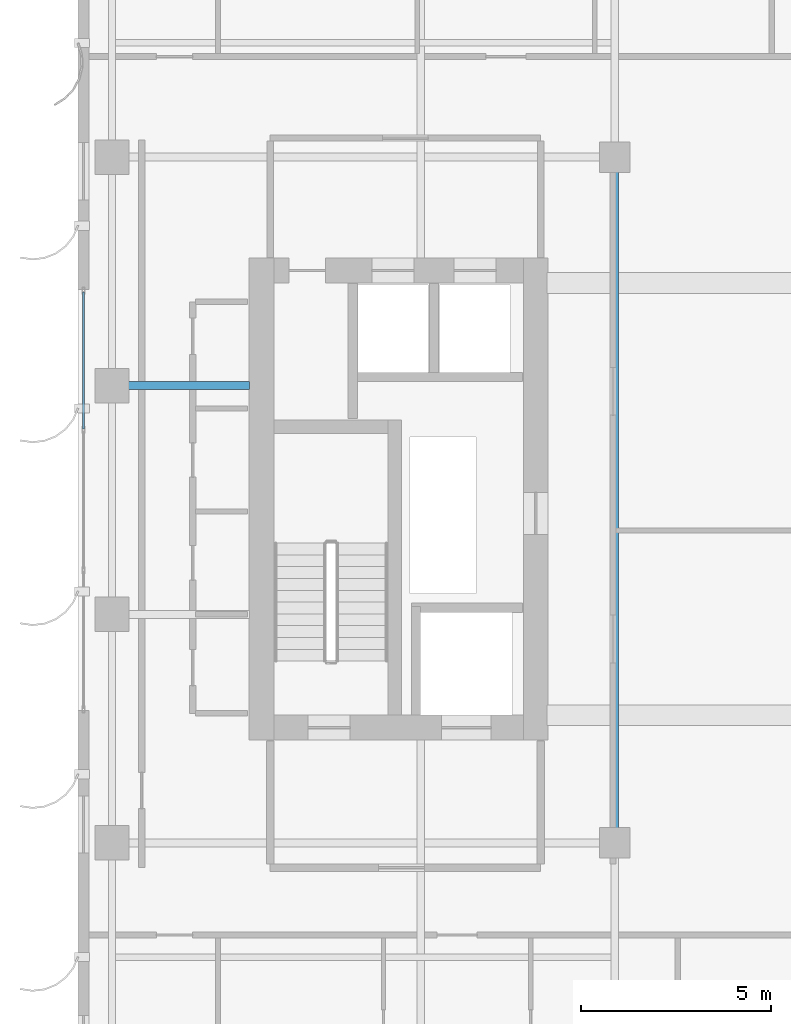
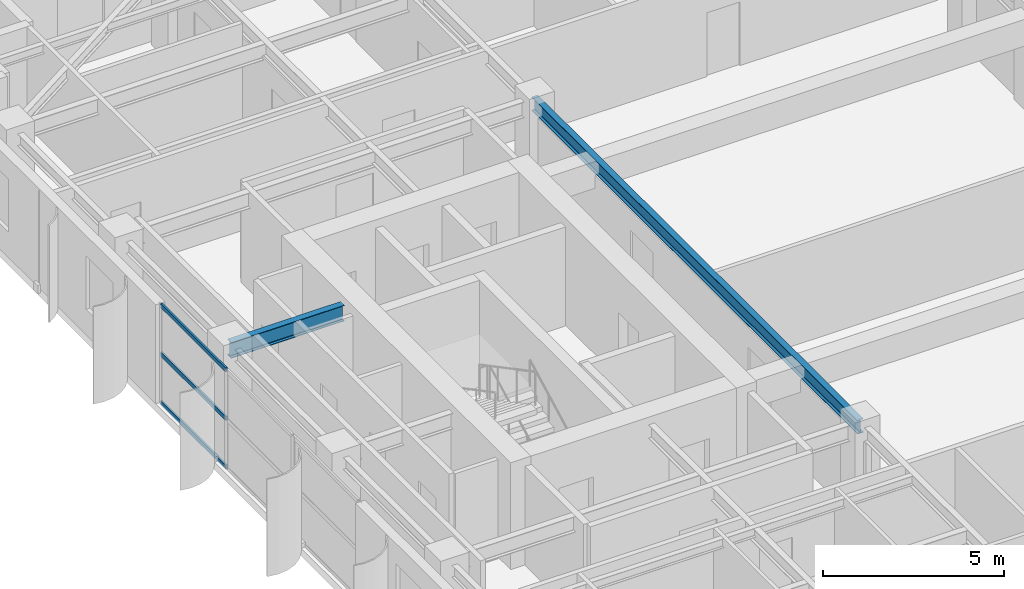
# One storey, part 5 of 22: 3 members, 2 beams, 1 element without a shape of its own.
"""IFC4 building model written with IfcOpenShell, lengths in metres."""

from ifc_helpers import new_model, si_unit, direction, frame, origin, origin_2d, place, context, subcontext, project, spatial, hollow_rectangle, i_section, extrude, source, transform, mapped, material, layer, layer_set, material_profile, profile_set, type_object, element, aggregate, save


model = new_model("IFC4")

# Units and contexts
model_context = context("Model", 3, precision=1e-05, world=origin(), true_north=direction((0.0, 1.0)))
body_context = subcontext(model_context, "Body", "Model", "MODEL_VIEW")
ifc_project = project(units=[si_unit("LENGTHUNIT", "METRE"), si_unit("AREAUNIT", "SQUARE_METRE"), si_unit("VOLUMEUNIT", "CUBIC_METRE"), si_unit("PLANEANGLEUNIT", "RADIAN"), si_unit("MASSUNIT", "GRAM", prefix="KILO")], contexts=[model_context])

# Site, building, storey
site_placement = place(None, origin())
site = spatial("IfcSite", under=ifc_project, at=site_placement, CompositionType="ELEMENT")
building_placement = place(site_placement, origin())
building = spatial("IfcBuilding", under=site, at=building_placement, Name="Khoralis Quay Care Tower", CompositionType="ELEMENT")
storey_placement = place(building_placement, frame((0.0, 0.0, 180.89990234375)))
storey = spatial("IfcBuildingStorey", under=building, at=storey_placement, Name="L47", CompositionType="ELEMENT", Elevation=180.89990234375)

# Beams
ifc_material_1 = material(Name="Steel S355", Category="steel")
ifc_material_profile_1 = material_profile(ifc_material_1, i_section(OverallWidth=0.208984375, OverallDepth=0.532958984375, WebThickness=0.01025390625, FlangeThickness=0.015625, FilletRadius=0.01611328125, at=origin_2d()), Name="Steel S355")
ifc_profile_set_1 = profile_set([ifc_material_profile_1], Name="Steel S355")
beam_type_1 = type_object("IfcBeamType", Name="BM-W530X92", PredefinedType="BEAM", material=ifc_profile_set_1)
shared_shape_1 = source(origin(), body_context, "Body", "SweptSolid", [
    extrude(i_section(OverallWidth=0.208984375, OverallDepth=0.532958984375, WebThickness=0.01025390625, FlangeThickness=0.015625, FilletRadius=0.01611328125, at=origin_2d()), origin(), (0.0, 0.0, 1.0), 3.60205078125),
])
beam_1_placement = place(storey_placement, frame((3.89990234375, 24.0, 3.073486328125), z_axis=(1.0, 0.0, 0.0), x_axis=(0.0, 1.0, 0.0)))
element("IfcBeam", 1, at=beam_1_placement, inside=storey, type_object=beam_type_1, Name="BM-TGXW-L47-240", PredefinedType="BEAM", context=body_context, shape_type="MappedRepresentation", body=[
    mapped(shared_shape_1, transform((0.0, 0.0, 0.0), scale=1.0)),
])
ifc_material_profile_2 = material_profile(ifc_material_1, i_section(OverallWidth=0.19189453125, OverallDepth=0.462890625, WebThickness=0.010498046875, FlangeThickness=0.017578125, FilletRadius=0.014892578125, at=origin_2d()), Name="Steel S355")
ifc_profile_set_2 = profile_set([ifc_material_profile_2], Name="Steel S355")
beam_type_2 = type_object("IfcBeamType", Name="BM-W460X89", PredefinedType="BEAM", material=ifc_profile_set_2)
shared_shape_2 = source(origin(), body_context, "Body", "SweptSolid", [
    extrude(i_section(OverallWidth=0.19189453125, OverallDepth=0.462890625, WebThickness=0.010498046875, FlangeThickness=0.017578125, FilletRadius=0.014892578125, at=origin_2d()), origin(), (0.0, 0.0, 1.0), 18.0),
])
beam_2_placement = place(storey_placement, frame((17.10009765625, 12.0, 3.108642578125), z_axis=(0.0, 1.0, 0.0), x_axis=(-1.0, 0.0, 0.0)))
element("IfcBeam", 2, at=beam_2_placement, inside=storey, type_object=beam_type_2, Name="BM-TGSW-L47", PredefinedType="BEAM", context=body_context, shape_type="MappedRepresentation", body=[
    mapped(shared_shape_2, transform((0.0, 0.0, 0.0), scale=1.0)),
])

# Curtain wall, members
ifc_material_2 = material(Name="Pale anodised aluminium", Category="aluminium")
ifc_layer = layer(ifc_material_2, 0.159912109375)
ifc_layer_set = layer_set([ifc_layer], Name="Pale anodised aluminium")
curtain_wall_type = type_object("IfcCurtainWallType", Name="CW-SYS-Z3", PredefinedType="NOTDEFINED", material=ifc_layer_set)
curtain_wall_placement = place(storey_placement, origin())
curtain_wall = element("IfcCurtainWall", 3, at=curtain_wall_placement, inside=storey, type_object=curtain_wall_type, Name="L47 Unitised Curtain Wall CW-L47-P1-E15", PredefinedType="NOTDEFINED")
ifc_material_profile_3 = material_profile(ifc_material_2, hollow_rectangle(XDim=0.06005859375, YDim=0.139892578125, WallThickness=0.00390625, at=origin_2d()), Name="Pale anodised aluminium")
ifc_profile_set_3 = profile_set([ifc_material_profile_3], Name="Pale anodised aluminium")
member_type = type_object("IfcMemberType", Name="CW-TRN-140", PredefinedType="USERDEFINED", material=ifc_profile_set_3)
shared_shape_3 = source(origin(), body_context, "Body", "SweptSolid", [
    extrude(hollow_rectangle(XDim=0.06005859375, YDim=0.139892578125, WallThickness=0.00390625, at=origin_2d()), origin(), (0.0, 0.0, 1.0), 3.58984375),
])
member_1_placement = place(storey_placement, frame((3.14990234375, 26.4599609375, 0.030029296875), z_axis=(0.0, -1.0, 0.0), x_axis=(1.0, 0.0, 0.0)))
member_1 = element("IfcMember", 4, at=member_1_placement, type_object=member_type, Name="CW3 transom 1.1", ObjectType="TRANSOM", PredefinedType="USERDEFINED", context=body_context, shape_type="MappedRepresentation", body=[
    mapped(shared_shape_3, transform((0.0, 0.0, 0.0), scale=1.0)),
])
member_2_placement = place(storey_placement, frame((3.14990234375, 26.4599609375, 1.670166015625), z_axis=(0.0, -1.0, 0.0), x_axis=(1.0, 0.0, 0.0)))
member_2 = element("IfcMember", 5, at=member_2_placement, type_object=member_type, Name="CW3 transom 1.2", ObjectType="TRANSOM", PredefinedType="USERDEFINED", context=body_context, shape_type="MappedRepresentation", body=[
    mapped(shared_shape_3, transform((0.0, 0.0, 0.0), scale=1.0)),
])
member_3_placement = place(storey_placement, frame((3.14990234375, 26.4599609375, 3.31005859375), z_axis=(0.0, -1.0, 0.0), x_axis=(1.0, 0.0, 0.0)))
member_3 = element("IfcMember", 6, at=member_3_placement, type_object=member_type, Name="CW3 transom 1.3", ObjectType="TRANSOM", PredefinedType="USERDEFINED", context=body_context, shape_type="MappedRepresentation", body=[
    mapped(shared_shape_3, transform((0.0, 0.0, 0.0), scale=1.0)),
])
aggregate(curtain_wall, [member_1, member_2, member_3])

save(model, "model.ifc")
